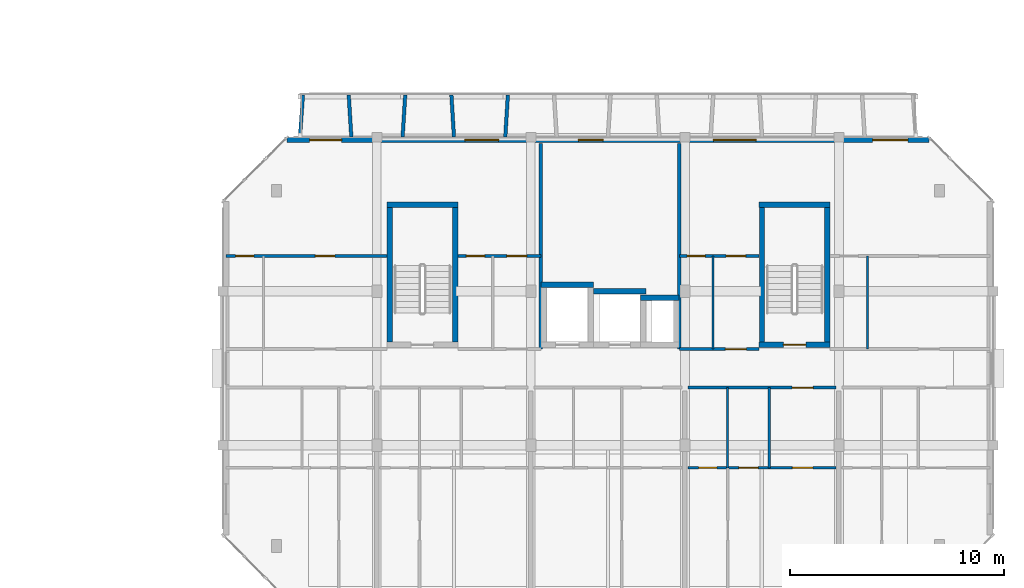
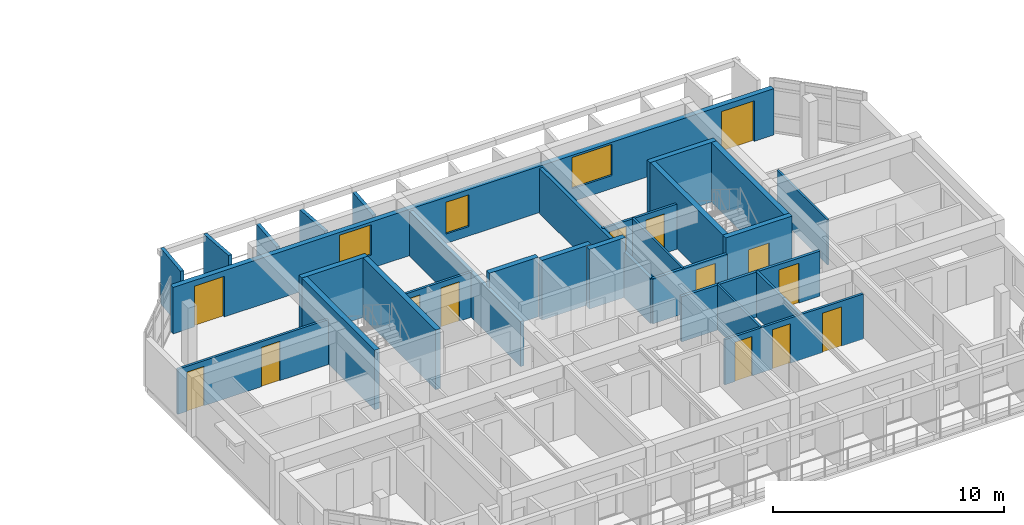
# One storey, part 18 of 31: 28 walls, 14 doors, 3 windows, 17 openings.
"""IFC4 building model written with IfcOpenShell, lengths in metres."""

from ifc_helpers import new_model, si_unit, direction, frame, frame_2d, origin, place, context, subcontext, project, spatial, rectangle, extrude, material, layer, layer_set, type_object, element, fill, save


model = new_model("IFC4")

# Units and contexts
model_context = context("Model", 3, precision=1e-05, world=origin(), true_north=direction((0.0, 1.0)))
body_context = subcontext(model_context, "Body", "Model", "MODEL_VIEW")
ifc_project = project(units=[si_unit("LENGTHUNIT", "METRE"), si_unit("AREAUNIT", "SQUARE_METRE"), si_unit("VOLUMEUNIT", "CUBIC_METRE"), si_unit("PLANEANGLEUNIT", "RADIAN"), si_unit("MASSUNIT", "GRAM", prefix="KILO")], contexts=[model_context])

# Site, building, storey
site_placement = place(None, origin())
site = spatial("IfcSite", under=ifc_project, at=site_placement, CompositionType="ELEMENT")
building_placement = place(site_placement, origin())
building = spatial("IfcBuilding", under=site, at=building_placement, Name="Ochrevale Crest", CompositionType="ELEMENT")
storey_placement = place(building_placement, frame((0.0, 0.0, 37.050048828125)))
storey = spatial("IfcBuildingStorey", under=building, at=storey_placement, Name="L11", CompositionType="ELEMENT", Elevation=37.050048828125)

# Wall, opening, door
ifc_material_1 = material(Name="Gypsum plasterboard", Category="gypsum")
ifc_layer_1 = layer(ifc_material_1, 0.139892578125)
ifc_layer_set_1 = layer_set([ifc_layer_1], Name="Gypsum plasterboard")
wall_type_1 = type_object("IfcWallType", Name="WL-COR-140", PredefinedType="PARTITIONING", material=ifc_layer_set_1)
wall_1_placement = place(storey_placement, frame((151.340087890625, 24.300048828125, 0.0), z_axis=(0.0, 0.0, 1.0), x_axis=(1.0, 0.0, 0.0)))
wall_1 = element("IfcWall", 1, at=wall_1_placement, inside=storey, type_object=wall_type_1, Name="Apartment C-L11-U4 corridor wall", PredefinedType="PARTITIONING", context=body_context, shape_type="SweptSolid", body=[
    extrude(rectangle(XDim=6.919921875, YDim=0.139892578125, at=frame_2d((3.4599609375, 0.0))), origin(), (0.0, 0.0, 1.0), 2.3798828125),
])
opening_1_placement = place(wall_1_placement, frame((4.8701171875, 0.0, 0.0)))
opening_1 = element("IfcOpeningElement", 2, at=opening_1_placement, cuts=wall_1, Name="Opening FD01", PredefinedType="OPENING", context=body_context, shape_type="SweptSolid", body=[
    extrude(rectangle(XDim=0.97998046875, YDim=2.10009765625, at=frame_2d((0.489990234375, 1.050048828125))), frame((0.0, 0.080078125, 0.0), z_axis=(0.0, -1.0, 0.0), x_axis=(1.0, 0.0, 0.0)), (0.0, 0.0, 1.0), 0.159912109375),
])
ifc_material_2 = material(Name="Solid-core FSC hardwood", Category="wood")
door_type_1 = type_object("IfcDoorType", Name="DR-APT-950", OperationType="NOTDEFINED", PredefinedType="DOOR", material=ifc_material_2)
door_1_placement = place(opening_1_placement, origin())
door_1 = element("IfcDoor", 3, at=door_1_placement, inside=storey, type_object=door_type_1, Name="Apartment C-L11-U4 entrance door", OperationType="SINGLE_SWING_LEFT", OverallHeight=2.10009765625, OverallWidth=0.97998046875, PredefinedType="DOOR", context=body_context, shape_type="SweptSolid", body=[
    extrude(rectangle(XDim=0.97998046875, YDim=2.10009765625, at=frame_2d((0.489990234375, 1.050048828125))), frame((0.0, 0.02490234375, 0.0), z_axis=(0.0, -1.0, 0.0), x_axis=(1.0, 0.0, 0.0)), (0.0, 0.0, 1.0), 0.050048828125),
])
fill(opening_1, door_1)

wall_2_placement = place(storey_placement, frame((150.93994140625, 26.10009765625, 0.0), z_axis=(0.0, 0.0, 1.0), x_axis=(1.0, 0.0, 0.0)))
wall_2 = element("IfcWall", 4, at=wall_2_placement, inside=storey, type_object=wall_type_1, Name="Suite C-L11-ME corridor wall", PredefinedType="PARTITIONING", context=body_context, shape_type="SweptSolid", body=[
    extrude(rectangle(XDim=3.719970703125, YDim=0.139892578125, at=frame_2d((1.85986328125, 0.0))), origin(), (0.0, 0.0, 1.0), 2.3798828125),
])
opening_2_placement = place(wall_2_placement, frame((2.151123046875, 0.0, 0.0)))
opening_2 = element("IfcOpeningElement", 5, at=opening_2_placement, cuts=wall_2, Name="Opening FD01", PredefinedType="OPENING", context=body_context, shape_type="SweptSolid", body=[
    extrude(rectangle(XDim=0.97998046875, YDim=2.10009765625, at=frame_2d((0.489990234375, 1.050048828125))), frame((0.0, 0.080078125, 0.0), z_axis=(0.0, -1.0, 0.0), x_axis=(1.0, 0.0, 0.0)), (0.0, 0.0, 1.0), 0.159912109375),
])
door_2_placement = place(opening_2_placement, origin())
door_2 = element("IfcDoor", 6, at=door_2_placement, inside=storey, type_object=door_type_1, Name="Suite C-L11-ME entrance door", OperationType="SINGLE_SWING_LEFT", OverallHeight=2.10009765625, OverallWidth=0.97998046875, PredefinedType="DOOR", context=body_context, shape_type="SweptSolid", body=[
    extrude(rectangle(XDim=0.97998046875, YDim=2.10009765625, at=frame_2d((0.489990234375, 1.050048828125))), frame((0.0, 0.02490234375, 0.0), z_axis=(0.0, -1.0, 0.0), x_axis=(1.0, 0.0, 0.0)), (0.0, 0.0, 1.0), 0.050048828125),
])
fill(opening_2, door_2)

# Walls
ifc_material_3 = material(Name="Precast concrete C50/60", Category="concrete")
ifc_layer_2 = layer(ifc_material_3, 0.2548828125)
ifc_layer_set_2 = layer_set([ifc_layer_2], Name="Precast concrete C50/60")
wall_type_2 = type_object("IfcWallType", Name="WL-CORE-255", PredefinedType="SHEAR", material=ifc_layer_set_2)
wall_3_placement = place(storey_placement, frame((137.2724609375, 32.85009765625, 0.0), z_axis=(0.0, 0.0, 1.0), x_axis=(1.0, 0.0, 0.0)))
element("IfcWall", 7, at=wall_3_placement, inside=storey, type_object=wall_type_2, Name="Block C L11 Stair 1 precast core shear wall N", PredefinedType="SHEAR", context=body_context, shape_type="SweptSolid", body=[
    extrude(rectangle(XDim=3.304931640625, YDim=0.2548828125, at=frame_2d((1.65234375, 0.0))), origin(), (0.0, 0.0, 1.0), 3.14990234375),
])
for number, where, z_axis, x_axis, name in (
    (8, (137.39990234375, 26.427490234375, 0.0), (0.0, 0.0, 1.0), (0.0, 1.0, 0.0), "Block C L11 Stair 1 precast core shear wall W"),
    (9, (140.449951171875, 26.427490234375, 0.0), (0.0, 0.0, 1.0), (0.0, 1.0, 0.0), "Block C L11 Stair 1 precast core shear wall E"),
):
    element("IfcWall", number, at=place(storey_placement, frame(where, z_axis=z_axis, x_axis=x_axis)), inside=storey, type_object=wall_type_2, Name=name, PredefinedType="SHEAR", context=body_context, shape_type="SweptSolid", body=[
        extrude(rectangle(XDim=6.294921875, YDim=0.2548828125, at=frame_2d((3.1474609375, 0.0))), origin(), (0.0, 0.0, 1.0), 3.14990234375),
    ])

# Wall, opening, door
wall_4_placement = place(storey_placement, frame((154.672607421875, 26.300048828125, 0.0), z_axis=(0.0, 0.0, 1.0), x_axis=(1.0, 0.0, 0.0)))
wall_4 = element("IfcWall", 10, at=wall_4_placement, inside=storey, type_object=wall_type_2, Name="Block C L11 Stair 2 precast core shear wall S", PredefinedType="SHEAR", context=body_context, shape_type="SweptSolid", body=[
    extrude(rectangle(XDim=3.304931640625, YDim=0.2548828125, at=frame_2d((1.65234375, 0.0))), origin(), (0.0, 0.0, 1.0), 3.14990234375),
])
opening_3_placement = place(wall_4_placement, frame((1.12744140625, 0.0, 0.0)))
opening_3 = element("IfcOpeningElement", 11, at=opening_3_placement, cuts=wall_4, Name="Opening FD03", PredefinedType="OPENING", context=body_context, shape_type="SweptSolid", body=[
    extrude(rectangle(XDim=1.050048828125, YDim=2.1201171875, at=frame_2d((0.52490234375, 1.06005859375))), frame((0.0, 0.137451171875, 0.0), z_axis=(0.0, -1.0, 0.0), x_axis=(1.0, 0.0, 0.0)), (0.0, 0.0, 1.0), 0.27490234375),
])
door_type_2 = type_object("IfcDoorType", Name="DR-ST-1050", OperationType="NOTDEFINED", PredefinedType="DOOR", material=ifc_material_2)
door_3_placement = place(opening_3_placement, origin())
door_3 = element("IfcDoor", 12, at=door_3_placement, inside=storey, type_object=door_type_2, Name="Block C L11 fire stair 2 door", OperationType="SINGLE_SWING_LEFT", OverallHeight=2.1201171875, OverallWidth=1.050048828125, PredefinedType="DOOR", context=body_context, shape_type="SweptSolid", body=[
    extrude(rectangle(XDim=1.050048828125, YDim=2.1201171875, at=frame_2d((0.52490234375, 1.06005859375))), frame((0.0, 0.02490234375, 0.0), z_axis=(0.0, -1.0, 0.0), x_axis=(1.0, 0.0, 0.0)), (0.0, 0.0, 1.0), 0.050048828125),
])
fill(opening_3, door_3)

# Walls
wall_5_placement = place(storey_placement, frame((154.672607421875, 32.85009765625, 0.0), z_axis=(0.0, 0.0, 1.0), x_axis=(1.0, 0.0, 0.0)))
element("IfcWall", 13, at=wall_5_placement, inside=storey, type_object=wall_type_2, Name="Block C L11 Stair 2 precast core shear wall N", PredefinedType="SHEAR", context=body_context, shape_type="SweptSolid", body=[
    extrude(rectangle(XDim=3.304931640625, YDim=0.2548828125, at=frame_2d((1.65234375, 0.0))), origin(), (0.0, 0.0, 1.0), 3.14990234375),
])
for number, where, z_axis, x_axis, name in (
    (14, (154.800048828125, 26.427490234375, 0.0), (0.0, 0.0, 1.0), (0.0, 1.0, 0.0), "Block C L11 Stair 2 precast core shear wall W"),
    (15, (157.85009765625, 26.427490234375, 0.0), (0.0, 0.0, 1.0), (0.0, 1.0, 0.0), "Block C L11 Stair 2 precast core shear wall E"),
):
    element("IfcWall", number, at=place(storey_placement, frame(where, z_axis=z_axis, x_axis=x_axis)), inside=storey, type_object=wall_type_2, Name=name, PredefinedType="SHEAR", context=body_context, shape_type="SweptSolid", body=[
        extrude(rectangle(XDim=6.294921875, YDim=0.2548828125, at=frame_2d((3.1474609375, 0.0))), origin(), (0.0, 0.0, 1.0), 3.14990234375),
    ])
wall_6_placement = place(storey_placement, frame((144.472412109375, 29.10009765625, 0.0), z_axis=(0.0, 0.0, 1.0), x_axis=(1.0, 0.0, 0.0)))
element("IfcWall", 16, at=wall_6_placement, inside=storey, type_object=wall_type_2, Name="Block C L11 Lift 1 precast shaft shear wall N", PredefinedType="SHEAR", context=body_context, shape_type="SweptSolid", body=[
    extrude(rectangle(XDim=2.455078125, YDim=0.2548828125, at=frame_2d((1.2275390625, 0.0))), origin(), (0.0, 0.0, 1.0), 3.14990234375),
])
wall_7_placement = place(storey_placement, frame((146.922607421875, 28.800048828125, 0.0), z_axis=(0.0, 0.0, 1.0), x_axis=(1.0, 0.0, 0.0)))
element("IfcWall", 17, at=wall_7_placement, inside=storey, type_object=wall_type_2, Name="Block C L11 Lift 2 precast shaft shear wall N", PredefinedType="SHEAR", context=body_context, shape_type="SweptSolid", body=[
    extrude(rectangle(XDim=2.454833984375, YDim=0.2548828125, at=frame_2d((1.2275390625, 0.0))), origin(), (0.0, 0.0, 1.0), 3.14990234375),
])
wall_8_placement = place(storey_placement, frame((149.12255859375, 28.5, 0.0), z_axis=(0.0, 0.0, 1.0), x_axis=(1.0, 0.0, 0.0)))
element("IfcWall", 18, at=wall_8_placement, inside=storey, type_object=wall_type_2, Name="Block C L11 services riser shaft core wall N", PredefinedType="SHEAR", context=body_context, shape_type="SweptSolid", body=[
    extrude(rectangle(XDim=1.804931640625, YDim=0.2548828125, at=frame_2d((0.90234375, 0.0))), origin(), (0.0, 0.0, 1.0), 3.14990234375),
])

# Wall, openings, doors, windows
ifc_material_4 = material(Name="Precast concrete C40/50", Category="concrete")
ifc_layer_3 = layer(ifc_material_4, 0.25)
ifc_layer_set_3 = layer_set([ifc_layer_3], Name="Precast concrete C40/50")
wall_type_3 = type_object("IfcWallType", Name="WL-EXT-GOLD-250", PredefinedType="SOLIDWALL", material=ifc_layer_set_3)
wall_9_placement = place(storey_placement, frame((162.60009765625, 35.875, 0.0), z_axis=(0.0, 0.0, 1.0), x_axis=(-1.0, 0.0, 0.0)))
wall_9 = element("IfcWall", 19, at=wall_9_placement, inside=storey, type_object=wall_type_3, Name="Block C L11 external facade wall E5", PredefinedType="SOLIDWALL", context=body_context, shape_type="SweptSolid", body=[
    extrude(rectangle(XDim=30.0, YDim=0.25, at=frame_2d((15.0, 0.0))), origin(), (0.0, 0.0, 1.0), 2.449951171875),
])
opening_4_placement = place(wall_9_placement, frame((28.949951171875, 0.0, 0.0), z_axis=(0.0, 0.0, 1.0), x_axis=(-1.0, 0.0, 0.0)))
opening_4 = element("IfcOpeningElement", 20, at=opening_4_placement, cuts=wall_9, Name="Opening BD01", PredefinedType="OPENING", context=body_context, shape_type="SweptSolid", body=[
    extrude(rectangle(XDim=1.5, YDim=2.14990234375, at=frame_2d((0.75, 1.074951171875))), frame((0.0, 0.135009765625, 0.0), z_axis=(0.0, -1.0, 0.0), x_axis=(1.0, 0.0, 0.0)), (0.0, 0.0, 1.0), 0.27001953125),
])
opening_5_placement = place(wall_9_placement, frame((2.625, 0.0, 0.0), z_axis=(0.0, 0.0, 1.0), x_axis=(-1.0, 0.0, 0.0)))
opening_5 = element("IfcOpeningElement", 21, at=opening_5_placement, cuts=wall_9, Name="Opening BD02", PredefinedType="OPENING", context=body_context, shape_type="SweptSolid", body=[
    extrude(rectangle(XDim=1.64990234375, YDim=2.14990234375, at=frame_2d((0.824951171875, 1.074951171875))), frame((0.0, 0.135009765625, 0.0), z_axis=(0.0, -1.0, 0.0), x_axis=(1.0, 0.0, 0.0)), (0.0, 0.0, 1.0), 0.27001953125),
])
opening_6_placement = place(wall_9_placement, frame((15.22998046875, 0.0, 0.5)))
opening_6 = element("IfcOpeningElement", 22, at=opening_6_placement, cuts=wall_9, Name="Opening W32", PredefinedType="OPENING", context=body_context, shape_type="SweptSolid", body=[
    extrude(rectangle(XDim=1.14990234375, YDim=1.679931640625, at=frame_2d((0.574951171875, 0.83984375))), frame((0.0, 0.135009765625, 0.0), z_axis=(0.0, -1.0, 0.0), x_axis=(1.0, 0.0, 0.0)), (0.0, 0.0, 1.0), 0.27001953125),
])
opening_7_placement = place(wall_9_placement, frame((8.074951171875, 0.0, 0.68994140625)))
opening_7 = element("IfcOpeningElement", 23, at=opening_7_placement, cuts=wall_9, Name="Opening W12", PredefinedType="OPENING", context=body_context, shape_type="SweptSolid", body=[
    extrude(rectangle(XDim=2.0, YDim=1.64990234375, at=frame_2d((1.0, 0.824951171875))), frame((0.0, 0.135009765625, 0.0), z_axis=(0.0, -1.0, 0.0), x_axis=(1.0, 0.0, 0.0)), (0.0, 0.0, 1.0), 0.27001953125),
])
opening_8_placement = place(wall_9_placement, frame((20.110107421875, 0.0, 0.699951171875)))
opening_8 = element("IfcOpeningElement", 24, at=opening_8_placement, cuts=wall_9, Name="Opening W09", PredefinedType="OPENING", context=body_context, shape_type="SweptSolid", body=[
    extrude(rectangle(XDim=1.580078125, YDim=1.60009765625, at=frame_2d((0.7900390625, 0.800048828125))), frame((0.0, 0.135009765625, 0.0), z_axis=(0.0, -1.0, 0.0), x_axis=(1.0, 0.0, 0.0)), (0.0, 0.0, 1.0), 0.27001953125),
])
ifc_material_5 = material(Name="Anodised aluminium 6063-T5 and toughened glass", Category="aluminium")
door_type_3 = type_object("IfcDoorType", Name="DR-BAL-1500", OperationType="NOTDEFINED", PredefinedType="DOOR", material=ifc_material_5)
door_4_placement = place(opening_4_placement, origin())
door_4 = element("IfcDoor", 25, at=door_4_placement, inside=storey, type_object=door_type_3, Name="Block C L11 balcony door N1", OperationType="SINGLE_SWING_RIGHT", OverallHeight=2.14990234375, OverallWidth=1.5, PredefinedType="DOOR", context=body_context, shape_type="SweptSolid", body=[
    extrude(rectangle(XDim=1.5, YDim=2.14990234375, at=frame_2d((0.75, 1.074951171875))), frame((0.0, 0.02490234375, 0.0), z_axis=(0.0, -1.0, 0.0), x_axis=(1.0, 0.0, 0.0)), (0.0, 0.0, 1.0), 0.050048828125),
])
fill(opening_4, door_4)
door_type_4 = type_object("IfcDoorType", Name="DR-BAL-1650", OperationType="NOTDEFINED", PredefinedType="DOOR", material=ifc_material_5)
door_5_placement = place(opening_5_placement, origin())
door_5 = element("IfcDoor", 26, at=door_5_placement, inside=storey, type_object=door_type_4, Name="Block C L11 balcony door N5", OperationType="SINGLE_SWING_LEFT", OverallHeight=2.14990234375, OverallWidth=1.64990234375, PredefinedType="DOOR", context=body_context, shape_type="SweptSolid", body=[
    extrude(rectangle(XDim=1.64990234375, YDim=2.14990234375, at=frame_2d((0.824951171875, 1.074951171875))), frame((0.0, 0.02490234375, 0.0), z_axis=(0.0, -1.0, 0.0), x_axis=(1.0, 0.0, 0.0)), (0.0, 0.0, 1.0), 0.050048828125),
])
fill(opening_5, door_5)
ifc_material_6 = material(Name="Anodised aluminium 6063-T5 and low-E double glazing", Category="aluminium")
window_type_1 = type_object("IfcWindowType", Name="WIN-W09", PartitioningType="SINGLE_PANEL", PredefinedType="WINDOW", material=ifc_material_6)
window_1_placement = place(opening_8_placement, origin())
window_1 = element("IfcWindow", 27, at=window_1_placement, inside=storey, type_object=window_type_1, Name="Block C L11 Suite C-L11-MW Courtyard Studio Living window", OverallHeight=1.60009765625, OverallWidth=1.580078125, PartitioningType="SINGLE_PANEL", PredefinedType="WINDOW", context=body_context, shape_type="SweptSolid", body=[
    extrude(rectangle(XDim=1.580078125, YDim=1.60009765625, at=frame_2d((0.7900390625, 0.800048828125))), frame((0.0, 0.030029296875, 0.0), z_axis=(0.0, -1.0, 0.0), x_axis=(1.0, 0.0, 0.0)), (0.0, 0.0, 1.0), 0.06005859375),
])
fill(opening_8, window_1)
window_type_2 = type_object("IfcWindowType", Name="WIN-W12", PartitioningType="SINGLE_PANEL", PredefinedType="WINDOW", material=ifc_material_6)
window_2_placement = place(opening_7_placement, origin())
window_2 = element("IfcWindow", 28, at=window_2_placement, inside=storey, type_object=window_type_2, Name="Block C L11 Suite C-L11-ME Garden Alcove Studio window", OverallHeight=1.64990234375, OverallWidth=2.0, PartitioningType="SINGLE_PANEL", PredefinedType="WINDOW", context=body_context, shape_type="SweptSolid", body=[
    extrude(rectangle(XDim=2.0, YDim=1.64990234375, at=frame_2d((1.0, 0.824951171875))), frame((0.0, 0.030029296875, 0.0), z_axis=(0.0, -1.0, 0.0), x_axis=(1.0, 0.0, 0.0)), (0.0, 0.0, 1.0), 0.06005859375),
])
fill(opening_7, window_2)
window_type_3 = type_object("IfcWindowType", Name="WIN-W32", PartitioningType="SINGLE_PANEL", PredefinedType="WINDOW", material=ifc_material_6)
window_3_placement = place(opening_6_placement, origin())
window_3 = element("IfcWindow", 29, at=window_3_placement, inside=storey, type_object=window_type_3, Name="Block C L11 core lancet window", OverallHeight=1.679931640625, OverallWidth=1.14990234375, PartitioningType="SINGLE_PANEL", PredefinedType="WINDOW", context=body_context, shape_type="SweptSolid", body=[
    extrude(rectangle(XDim=1.14990234375, YDim=1.679931640625, at=frame_2d((0.574951171875, 0.83984375))), frame((0.0, 0.030029296875, 0.0), z_axis=(0.0, -1.0, 0.0), x_axis=(1.0, 0.0, 0.0)), (0.0, 0.0, 1.0), 0.06005859375),
])
fill(opening_6, window_3)

# Walls
ifc_layer_4 = layer(ifc_material_4, 0.1650390625)
ifc_layer_set_4 = layer_set([ifc_layer_4], Name="Precast concrete C40/50")
wall_type_4 = type_object("IfcWallType", Name="WL-HC-CHEEK-165", PredefinedType="ELEMENTEDWALL", material=ifc_layer_set_4)
wall_10_placement = place(storey_placement, frame((133.199951171875, 36.02001953125, 0.0), z_axis=(0.0, 0.0, 1.0), x_axis=(0.071317687608, 0.997453651772, 0.0)))
element("IfcWall", 30, at=wall_10_placement, inside=storey, type_object=wall_type_4, Name="Block C L11 N precast honeycomb cheek 1", PredefinedType="ELEMENTEDWALL", context=body_context, shape_type="SweptSolid", body=[
    extrude(rectangle(XDim=1.96484375, YDim=0.1650390625, at=frame_2d((0.982421875, 0.0))), origin(), (0.0, 0.0, 1.0), 2.949951171875),
])
wall_11_placement = place(storey_placement, frame((135.60009765625, 36.02001953125, 0.0), z_axis=(0.0, 0.0, 1.0), x_axis=(-0.061170732449, 0.998127317276, 0.0)))
element("IfcWall", 31, at=wall_11_placement, inside=storey, type_object=wall_type_4, Name="Block C L11 N precast honeycomb cheek 2", PredefinedType="ELEMENTEDWALL", context=body_context, shape_type="SweptSolid", body=[
    extrude(rectangle(XDim=1.963623046875, YDim=0.1650390625, at=frame_2d((0.98193359375, 0.0))), origin(), (0.0, 0.0, 1.0), 2.949951171875),
])
for number, where, z_axis, x_axis, name in (
    (32, (138.0, 36.02001953125, 0.0), (0.0, 0.0, 1.0), (0.061170732449, 0.998127317276, 0.0), "Block C L11 N precast honeycomb cheek 3"),
    (33, (140.39990234375, 36.02001953125, 0.0), (0.0, 0.0, 1.0), (-0.061046865508, 0.998134900808, 0.0), "Block C L11 N precast honeycomb cheek 4"),
    (34, (142.800048828125, 36.02001953125, 0.0), (0.0, 0.0, 1.0), (0.061046865508, 0.998134900808, 0.0), "Block C L11 N precast honeycomb cheek 5"),
):
    element("IfcWall", number, at=place(storey_placement, frame(where, z_axis=z_axis, x_axis=x_axis)), inside=storey, type_object=wall_type_4, Name=name, PredefinedType="ELEMENTEDWALL", context=body_context, shape_type="SweptSolid", body=[
        extrude(rectangle(XDim=1.963623046875, YDim=0.1650390625, at=frame_2d((0.98193359375, 0.0))), origin(), (0.0, 0.0, 1.0), 2.550048828125),
    ])
ifc_layer_5 = layer(ifc_material_1, 0.1201171875)
ifc_layer_set_5 = layer_set([ifc_layer_5], Name="Gypsum plasterboard")
wall_type_5 = type_object("IfcWallType", Name="WL-PART-120", PredefinedType="PARTITIONING", material=ifc_layer_set_5)
wall_12_placement = place(storey_placement, frame((155.139892578125, 20.550048828125, 0.0), z_axis=(0.0, 0.0, 1.0), x_axis=(0.0, 1.0, 0.0)))
element("IfcWall", 35, at=wall_12_placement, inside=storey, type_object=wall_type_5, Name="Apartment C-L11-U4 kitchen-foyer wall", PredefinedType="PARTITIONING", context=body_context, shape_type="SweptSolid", body=[
    extrude(rectangle(XDim=3.75, YDim=0.1201171875, at=frame_2d((1.875, 0.0))), origin(), (0.0, 0.0, 1.0), 2.3798828125),
])

# Wall, openings, doors
wall_13_placement = place(storey_placement, frame((151.340087890625, 20.550048828125, 0.0), z_axis=(0.0, 0.0, 1.0), x_axis=(1.0, 0.0, 0.0)))
wall_13 = element("IfcWall", 36, at=wall_13_placement, inside=storey, type_object=wall_type_5, Name="Apartment C-L11-U4 central partition", PredefinedType="PARTITIONING", context=body_context, shape_type="SweptSolid", body=[
    extrude(rectangle(XDim=6.919921875, YDim=0.1201171875, at=frame_2d((3.4599609375, 0.0))), origin(), (0.0, 0.0, 1.0), 2.3798828125),
])
opening_9_placement = place(wall_13_placement, frame((1.35009765625, 0.0, 0.0), z_axis=(0.0, 0.0, 1.0), x_axis=(-1.0, 0.0, 0.0)))
opening_9 = element("IfcOpeningElement", 37, at=opening_9_placement, cuts=wall_13, Name="Opening ID01", PredefinedType="OPENING", context=body_context, shape_type="SweptSolid", body=[
    extrude(rectangle(XDim=0.85009765625, YDim=2.080078125, at=frame_2d((0.425048828125, 1.0400390625))), frame((0.0, 0.070068359375, 0.0), z_axis=(0.0, -1.0, 0.0), x_axis=(1.0, 0.0, 0.0)), (0.0, 0.0, 1.0), 0.14013671875),
])
opening_10_placement = place(wall_13_placement, frame((2.375, 0.0, 0.0)))
opening_10 = element("IfcOpeningElement", 38, at=opening_10_placement, cuts=wall_13, Name="Opening ID02", PredefinedType="OPENING", context=body_context, shape_type="SweptSolid", body=[
    extrude(rectangle(XDim=0.89990234375, YDim=2.080078125, at=frame_2d((0.449951171875, 1.0400390625))), frame((0.0, 0.070068359375, 0.0), z_axis=(0.0, -1.0, 0.0), x_axis=(1.0, 0.0, 0.0)), (0.0, 0.0, 1.0), 0.14013671875),
])
opening_11_placement = place(wall_13_placement, frame((5.8349609375, 0.0, 0.0), z_axis=(0.0, 0.0, 1.0), x_axis=(-1.0, 0.0, 0.0)))
opening_11 = element("IfcOpeningElement", 39, at=opening_11_placement, cuts=wall_13, Name="Opening ID06", PredefinedType="OPENING", context=body_context, shape_type="SweptSolid", body=[
    extrude(rectangle(XDim=0.949951171875, YDim=2.080078125, at=frame_2d((0.47509765625, 1.0400390625))), frame((0.0, 0.070068359375, 0.0), z_axis=(0.0, -1.0, 0.0), x_axis=(1.0, 0.0, 0.0)), (0.0, 0.0, 1.0), 0.14013671875),
])
door_type_5 = type_object("IfcDoorType", Name="DR-INT-900", OperationType="NOTDEFINED", PredefinedType="DOOR", material=ifc_material_2)
door_6_placement = place(opening_10_placement, origin())
door_6 = element("IfcDoor", 40, at=door_6_placement, inside=storey, type_object=door_type_5, Name="Apartment C-L11-U4 Kitchen door", OperationType="SINGLE_SWING_LEFT", OverallHeight=2.080078125, OverallWidth=0.89990234375, PredefinedType="DOOR", context=body_context, shape_type="SweptSolid", body=[
    extrude(rectangle(XDim=0.89990234375, YDim=2.080078125, at=frame_2d((0.449951171875, 1.0400390625))), frame((0.0, 0.02490234375, 0.0), z_axis=(0.0, -1.0, 0.0), x_axis=(1.0, 0.0, 0.0)), (0.0, 0.0, 1.0), 0.050048828125),
])
fill(opening_10, door_6)
door_type_6 = type_object("IfcDoorType", Name="DR-INT-950", OperationType="NOTDEFINED", PredefinedType="DOOR", material=ifc_material_2)
door_7_placement = place(opening_11_placement, origin())
door_7 = element("IfcDoor", 41, at=door_7_placement, inside=storey, type_object=door_type_6, Name="Apartment C-L11-U4 Living Foyer door", OperationType="SINGLE_SWING_RIGHT", OverallHeight=2.080078125, OverallWidth=0.949951171875, PredefinedType="DOOR", context=body_context, shape_type="SweptSolid", body=[
    extrude(rectangle(XDim=0.949951171875, YDim=2.080078125, at=frame_2d((0.47509765625, 1.0400390625))), frame((0.0, 0.02490234375, 0.0), z_axis=(0.0, -1.0, 0.0), x_axis=(1.0, 0.0, 0.0)), (0.0, 0.0, 1.0), 0.050048828125),
])
fill(opening_11, door_7)
door_type_7 = type_object("IfcDoorType", Name="DR-WC-850", OperationType="NOTDEFINED", PredefinedType="DOOR", material=ifc_material_2)
door_8_placement = place(opening_9_placement, origin())
door_8 = element("IfcDoor", 42, at=door_8_placement, inside=storey, type_object=door_type_7, Name="Apartment C-L11-U4 Bathroom door", OperationType="SINGLE_SWING_RIGHT", OverallHeight=2.080078125, OverallWidth=0.85009765625, PredefinedType="DOOR", context=body_context, shape_type="SweptSolid", body=[
    extrude(rectangle(XDim=0.85009765625, YDim=2.080078125, at=frame_2d((0.425048828125, 1.0400390625))), frame((0.0, 0.02490234375, 0.0), z_axis=(0.0, -1.0, 0.0), x_axis=(1.0, 0.0, 0.0)), (0.0, 0.0, 1.0), 0.050048828125),
])
fill(opening_9, door_8)

wall_14_placement = place(storey_placement, frame((129.739990234375, 30.449951171875, 0.0), z_axis=(0.0, 0.0, 1.0), x_axis=(1.0, 0.0, 0.0)))
wall_14 = element("IfcWall", 43, at=wall_14_placement, inside=storey, type_object=wall_type_5, Name="Suite C-L11-CW internal wall", PredefinedType="PARTITIONING", context=body_context, shape_type="SweptSolid", body=[
    extrude(rectangle(XDim=7.52001953125, YDim=0.1201171875, at=frame_2d((3.760009765625, 0.0))), origin(), (0.0, 0.0, 1.0), 2.3798828125),
])
opening_12_placement = place(wall_14_placement, frame((1.300048828125, 0.0, 0.0), z_axis=(0.0, 0.0, 1.0), x_axis=(-1.0, 0.0, 0.0)))
opening_12 = element("IfcOpeningElement", 44, at=opening_12_placement, cuts=wall_14, Name="Opening ID01", PredefinedType="OPENING", context=body_context, shape_type="SweptSolid", body=[
    extrude(rectangle(XDim=0.85009765625, YDim=2.080078125, at=frame_2d((0.425048828125, 1.0400390625))), frame((0.0, 0.070068359375, 0.0), z_axis=(0.0, -1.0, 0.0), x_axis=(1.0, 0.0, 0.0)), (0.0, 0.0, 1.0), 0.14013671875),
])
opening_13_placement = place(wall_14_placement, frame((4.175048828125, 0.0, 0.0)))
opening_13 = element("IfcOpeningElement", 45, at=opening_13_placement, cuts=wall_14, Name="Opening ID04", PredefinedType="OPENING", context=body_context, shape_type="SweptSolid", body=[
    extrude(rectangle(XDim=0.919921875, YDim=2.080078125, at=frame_2d((0.4599609375, 1.0400390625))), frame((0.0, 0.070068359375, 0.0), z_axis=(0.0, -1.0, 0.0), x_axis=(1.0, 0.0, 0.0)), (0.0, 0.0, 1.0), 0.14013671875),
])
door_type_8 = type_object("IfcDoorType", Name="DR-INT-920", OperationType="NOTDEFINED", PredefinedType="DOOR", material=ifc_material_2)
door_9_placement = place(opening_13_placement, origin())
door_9 = element("IfcDoor", 46, at=door_9_placement, inside=storey, type_object=door_type_8, Name="Suite C-L11-CW Garden Alcove Studio door", OperationType="SINGLE_SWING_LEFT", OverallHeight=2.080078125, OverallWidth=0.919921875, PredefinedType="DOOR", context=body_context, shape_type="SweptSolid", body=[
    extrude(rectangle(XDim=0.919921875, YDim=2.080078125, at=frame_2d((0.4599609375, 1.0400390625))), frame((0.0, 0.02490234375, 0.0), z_axis=(0.0, -1.0, 0.0), x_axis=(1.0, 0.0, 0.0)), (0.0, 0.0, 1.0), 0.050048828125),
])
fill(opening_13, door_9)
door_10_placement = place(opening_12_placement, origin())
door_10 = element("IfcDoor", 47, at=door_10_placement, inside=storey, type_object=door_type_7, Name="Suite C-L11-CW Bathroom door", OperationType="SINGLE_SWING_RIGHT", OverallHeight=2.080078125, OverallWidth=0.85009765625, PredefinedType="DOOR", context=body_context, shape_type="SweptSolid", body=[
    extrude(rectangle(XDim=0.85009765625, YDim=2.080078125, at=frame_2d((0.425048828125, 1.0400390625))), frame((0.0, 0.02490234375, 0.0), z_axis=(0.0, -1.0, 0.0), x_axis=(1.0, 0.0, 0.0)), (0.0, 0.0, 1.0), 0.050048828125),
])
fill(opening_12, door_10)

wall_15_placement = place(storey_placement, frame((140.590087890625, 30.449951171875, 0.0), z_axis=(0.0, 0.0, 1.0), x_axis=(1.0, 0.0, 0.0)))
wall_15 = element("IfcWall", 48, at=wall_15_placement, inside=storey, type_object=wall_type_5, Name="Suite C-L11-MW internal wall", PredefinedType="PARTITIONING", context=body_context, shape_type="SweptSolid", body=[
    extrude(rectangle(XDim=3.869873046875, YDim=0.1201171875, at=frame_2d((1.93505859375, 0.0))), origin(), (0.0, 0.0, 1.0), 2.3798828125),
])
opening_14_placement = place(wall_15_placement, frame((0.3876953125, 0.0, 0.0)))
opening_14 = element("IfcOpeningElement", 49, at=opening_14_placement, cuts=wall_15, Name="Opening ID01", PredefinedType="OPENING", context=body_context, shape_type="SweptSolid", body=[
    extrude(rectangle(XDim=0.85009765625, YDim=2.080078125, at=frame_2d((0.425048828125, 1.0400390625))), frame((0.0, 0.070068359375, 0.0), z_axis=(0.0, -1.0, 0.0), x_axis=(1.0, 0.0, 0.0)), (0.0, 0.0, 1.0), 0.14013671875),
])
opening_15_placement = place(wall_15_placement, frame((3.20751953125, 0.0, 0.0), z_axis=(0.0, 0.0, 1.0), x_axis=(-1.0, 0.0, 0.0)))
opening_15 = element("IfcOpeningElement", 50, at=opening_15_placement, cuts=wall_15, Name="Opening ID04", PredefinedType="OPENING", context=body_context, shape_type="SweptSolid", body=[
    extrude(rectangle(XDim=0.919921875, YDim=2.080078125, at=frame_2d((0.4599609375, 1.0400390625))), frame((0.0, 0.070068359375, 0.0), z_axis=(0.0, -1.0, 0.0), x_axis=(1.0, 0.0, 0.0)), (0.0, 0.0, 1.0), 0.14013671875),
])
door_11_placement = place(opening_15_placement, origin())
door_11 = element("IfcDoor", 51, at=door_11_placement, inside=storey, type_object=door_type_8, Name="Suite C-L11-MW Courtyard Studio Living door", OperationType="SINGLE_SWING_RIGHT", OverallHeight=2.080078125, OverallWidth=0.919921875, PredefinedType="DOOR", context=body_context, shape_type="SweptSolid", body=[
    extrude(rectangle(XDim=0.919921875, YDim=2.080078125, at=frame_2d((0.4599609375, 1.0400390625))), frame((0.0, 0.02490234375, 0.0), z_axis=(0.0, -1.0, 0.0), x_axis=(1.0, 0.0, 0.0)), (0.0, 0.0, 1.0), 0.050048828125),
])
fill(opening_15, door_11)
door_12_placement = place(opening_14_placement, origin())
door_12 = element("IfcDoor", 52, at=door_12_placement, inside=storey, type_object=door_type_7, Name="Suite C-L11-MW Bathroom door", OperationType="SINGLE_SWING_LEFT", OverallHeight=2.080078125, OverallWidth=0.85009765625, PredefinedType="DOOR", context=body_context, shape_type="SweptSolid", body=[
    extrude(rectangle(XDim=0.85009765625, YDim=2.080078125, at=frame_2d((0.425048828125, 1.0400390625))), frame((0.0, 0.02490234375, 0.0), z_axis=(0.0, -1.0, 0.0), x_axis=(1.0, 0.0, 0.0)), (0.0, 0.0, 1.0), 0.050048828125),
])
fill(opening_14, door_12)

wall_16_placement = place(storey_placement, frame((150.93994140625, 30.449951171875, 0.0), z_axis=(0.0, 0.0, 1.0), x_axis=(1.0, 0.0, 0.0)))
wall_16 = element("IfcWall", 53, at=wall_16_placement, inside=storey, type_object=wall_type_5, Name="Suite C-L11-ME internal wall", PredefinedType="PARTITIONING", context=body_context, shape_type="SweptSolid", body=[
    extrude(rectangle(XDim=3.719970703125, YDim=0.1201171875, at=frame_2d((1.85986328125, 0.0))), origin(), (0.0, 0.0, 1.0), 2.3798828125),
])
opening_16_placement = place(wall_16_placement, frame((1.206298828125, 0.0, 0.0), z_axis=(0.0, 0.0, 1.0), x_axis=(-1.0, 0.0, 0.0)))
opening_16 = element("IfcOpeningElement", 54, at=opening_16_placement, cuts=wall_16, Name="Opening ID01", PredefinedType="OPENING", context=body_context, shape_type="SweptSolid", body=[
    extrude(rectangle(XDim=0.85009765625, YDim=2.080078125, at=frame_2d((0.425048828125, 1.0400390625))), frame((0.0, 0.070068359375, 0.0), z_axis=(0.0, -1.0, 0.0), x_axis=(1.0, 0.0, 0.0)), (0.0, 0.0, 1.0), 0.14013671875),
])
opening_17_placement = place(wall_16_placement, frame((2.18115234375, 0.0, 0.0)))
opening_17 = element("IfcOpeningElement", 55, at=opening_17_placement, cuts=wall_16, Name="Opening ID04", PredefinedType="OPENING", context=body_context, shape_type="SweptSolid", body=[
    extrude(rectangle(XDim=0.919921875, YDim=2.080078125, at=frame_2d((0.4599609375, 1.0400390625))), frame((0.0, 0.070068359375, 0.0), z_axis=(0.0, -1.0, 0.0), x_axis=(1.0, 0.0, 0.0)), (0.0, 0.0, 1.0), 0.14013671875),
])
door_13_placement = place(opening_17_placement, origin())
door_13 = element("IfcDoor", 56, at=door_13_placement, inside=storey, type_object=door_type_8, Name="Suite C-L11-ME Garden Alcove Studio door", OperationType="SINGLE_SWING_LEFT", OverallHeight=2.080078125, OverallWidth=0.919921875, PredefinedType="DOOR", context=body_context, shape_type="SweptSolid", body=[
    extrude(rectangle(XDim=0.919921875, YDim=2.080078125, at=frame_2d((0.4599609375, 1.0400390625))), frame((0.0, 0.02490234375, 0.0), z_axis=(0.0, -1.0, 0.0), x_axis=(1.0, 0.0, 0.0)), (0.0, 0.0, 1.0), 0.050048828125),
])
fill(opening_17, door_13)
door_14_placement = place(opening_16_placement, origin())
door_14 = element("IfcDoor", 57, at=door_14_placement, inside=storey, type_object=door_type_7, Name="Suite C-L11-ME Bathroom door", OperationType="SINGLE_SWING_RIGHT", OverallHeight=2.080078125, OverallWidth=0.85009765625, PredefinedType="DOOR", context=body_context, shape_type="SweptSolid", body=[
    extrude(rectangle(XDim=0.85009765625, YDim=2.080078125, at=frame_2d((0.425048828125, 1.0400390625))), frame((0.0, 0.02490234375, 0.0), z_axis=(0.0, -1.0, 0.0), x_axis=(1.0, 0.0, 0.0)), (0.0, 0.0, 1.0), 0.050048828125),
])
fill(opening_16, door_14)

# Walls
ifc_layer_6 = layer(ifc_material_1, 0.169921875)
ifc_layer_set_6 = layer_set([ifc_layer_6], Name="Gypsum plasterboard")
wall_type_6 = type_object("IfcWallType", Name="WL-TEN-170", PredefinedType="PARTITIONING", material=ifc_layer_set_6)
for number, where, z_axis, x_axis, name in (
    (58, (144.4599609375, 26.10009765625, 0.0), (0.0, 0.0, 1.0), (0.0, 1.0, 0.0), "Suite C-L11-MW east party wall"),
    (59, (150.93994140625, 26.10009765625, 0.0), (0.0, 0.0, 1.0), (0.0, 1.0, 0.0), "Suite C-L11-ME west party wall"),
):
    element("IfcWall", number, at=place(storey_placement, frame(where, z_axis=z_axis, x_axis=x_axis)), inside=storey, type_object=wall_type_6, Name=name, PredefinedType="PARTITIONING", context=body_context, shape_type="SweptSolid", body=[
        extrude(rectangle(XDim=9.599853515625, YDim=0.169921875, at=frame_2d((4.7998046875, 0.0))), origin(), (0.0, 0.0, 1.0), 2.3798828125),
    ])
ifc_layer_7 = layer(ifc_material_1, 0.10009765625)
ifc_layer_set_7 = layer_set([ifc_layer_7], Name="Gypsum plasterboard")
wall_type_7 = type_object("IfcWallType", Name="WL-WET-100", PredefinedType="PARTITIONING", material=ifc_layer_set_7)
wall_17_placement = place(storey_placement, frame((153.18994140625, 20.550048828125, 0.0), z_axis=(0.0, 0.0, 1.0), x_axis=(0.0, 1.0, 0.0)))
element("IfcWall", 60, at=wall_17_placement, inside=storey, type_object=wall_type_7, Name="Apartment C-L11-U4 bath-kitchen wall", PredefinedType="PARTITIONING", context=body_context, shape_type="SweptSolid", body=[
    extrude(rectangle(XDim=3.75, YDim=0.10009765625, at=frame_2d((1.875, 0.0))), origin(), (0.0, 0.0, 1.0), 2.3798828125),
])
for number, where, z_axis, x_axis, name in (
    (61, (152.50244140625, 26.10009765625, 0.0), (0.0, 0.0, 1.0), (0.0, 1.0, 0.0), "Suite C-L11-ME bathroom divider"),
    (62, (159.739990234375, 26.10009765625, 0.0), (0.0, 0.0, 1.0), (0.0, 1.0, 0.0), "Suite C-L11-CE bathroom divider"),
):
    element("IfcWall", number, at=place(storey_placement, frame(where, z_axis=z_axis, x_axis=x_axis)), inside=storey, type_object=wall_type_7, Name=name, PredefinedType="PARTITIONING", context=body_context, shape_type="SweptSolid", body=[
        extrude(rectangle(XDim=4.349853515625, YDim=0.10009765625, at=frame_2d((2.1748046875, 0.0))), origin(), (0.0, 0.0, 1.0), 2.3798828125),
    ])

save(model, "model.ifc")
